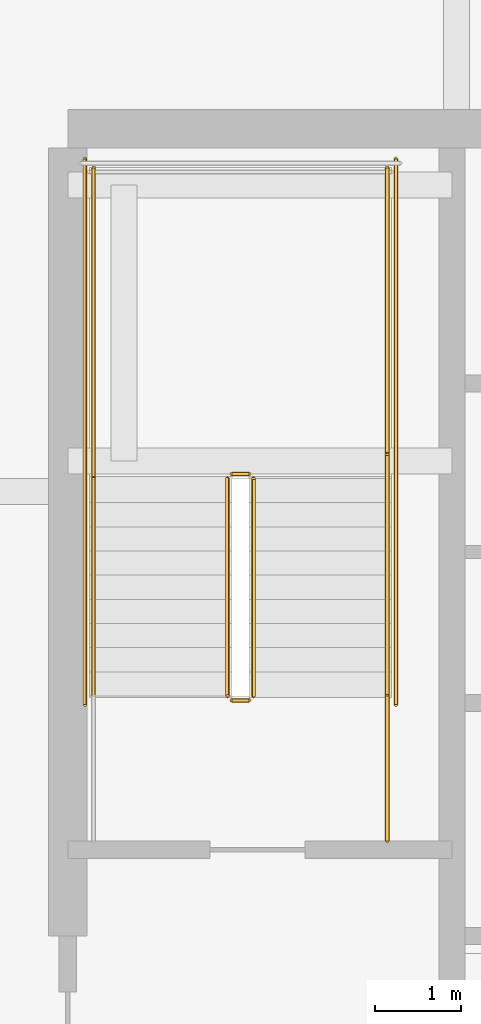
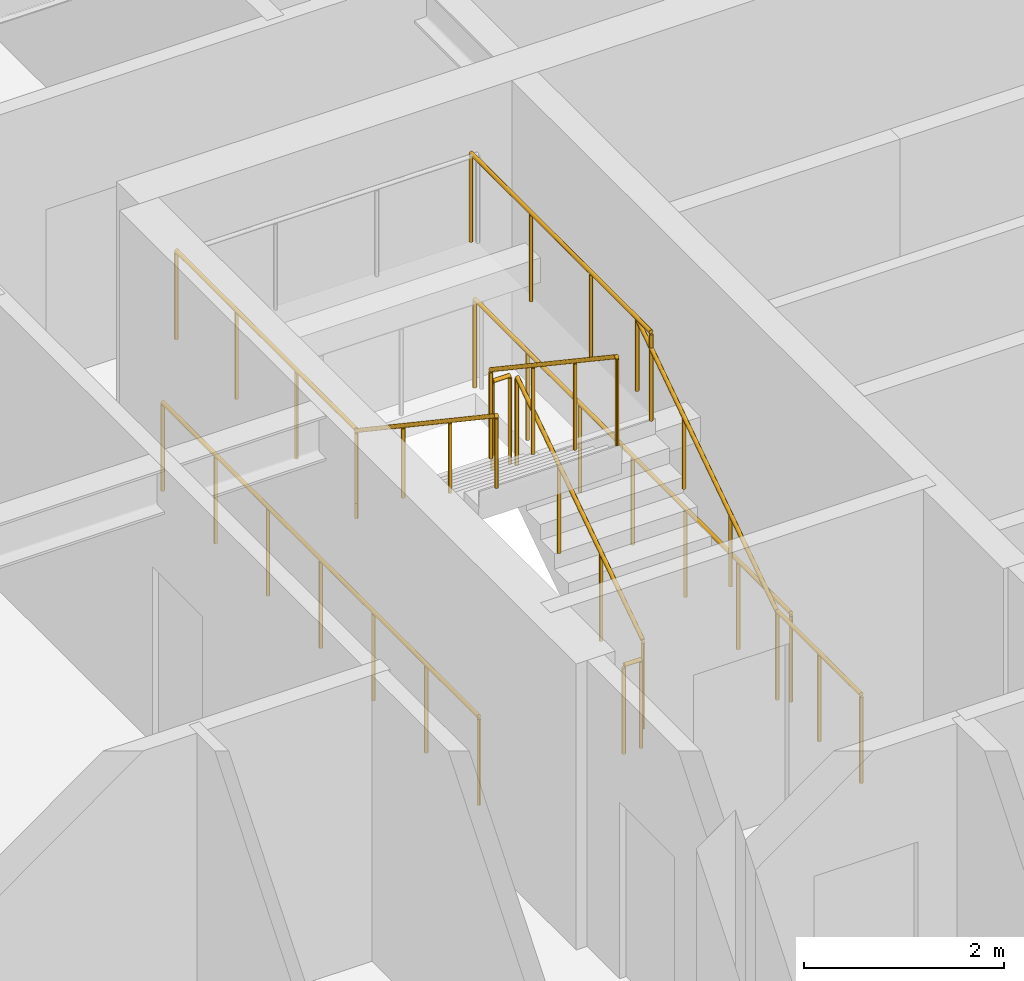
# One storey, part 35 of 38: 11 railings.
"""IFC4 building model written with IfcOpenShell, lengths in metres."""

from ifc_helpers import new_model, si_unit, direction, frame, origin, origin_2d, place, context, subcontext, project, spatial, circle, extrude, material, type_object, element, save


model = new_model("IFC4")

# Units and contexts
model_context = context("Model", 3, precision=1e-05, world=origin(), true_north=direction((0.0, 1.0)))
body_context = subcontext(model_context, "Body", "Model", "MODEL_VIEW")
ifc_project = project(units=[si_unit("LENGTHUNIT", "METRE"), si_unit("AREAUNIT", "SQUARE_METRE"), si_unit("VOLUMEUNIT", "CUBIC_METRE"), si_unit("PLANEANGLEUNIT", "RADIAN"), si_unit("MASSUNIT", "GRAM", prefix="KILO")], contexts=[model_context])

# Site, building, storey
site_placement = place(None, origin())
site = spatial("IfcSite", under=ifc_project, at=site_placement, CompositionType="ELEMENT")
building_placement = place(site_placement, origin())
building = spatial("IfcBuilding", under=site, at=building_placement, Name="Serunith Strait Residences", CompositionType="ELEMENT")
storey_placement = place(building_placement, frame((0.0, 0.0, 37.949951171875)))
storey = spatial("IfcBuildingStorey", under=building, at=storey_placement, Name="L08", CompositionType="ELEMENT", Elevation=37.949951171875)

# Railings
ifc_material = material(Name="Brushed stainless steel 316L", Category="steel")
railing_type_1 = type_object("IfcRailingType", Name="RLG-STAIR-GUARD", PredefinedType="BALUSTRADE", material=ifc_material)
railing_1_placement = place(storey_placement, frame((25.550048828125, 27.030029296875, 0.1875)))
element("IfcRailing", 1, at=railing_1_placement, inside=storey, type_object=railing_type_1, Name="L08 ST-1 stair guard 1", PredefinedType="BALUSTRADE", context=body_context, shape_type="SweptSolid", body=[
    extrude(circle(Radius=0.02392578125, at=origin_2d()), frame((0.0, 0.001708984375, 1.0771484375), z_axis=(0.0, 0.830909170722, 0.55640807867), x_axis=(-1.0, 0.0, 0.0)), (0.0, 0.0, 1.0), 3.02880859375),
    extrude(circle(Radius=0.02099609375, at=origin_2d()), origin(), (0.0, 0.0, 1.0), 1.050048828125),
    extrude(circle(Radius=0.02099609375, at=origin_2d()), frame((0.0, 0.840087890625, 0.5625)), (0.0, 0.0, 1.0), 1.050048828125),
    extrude(circle(Radius=0.02099609375, at=origin_2d()), frame((0.0, 1.679931640625, 1.125)), (0.0, 0.0, 1.0), 1.050048828125),
    extrude(circle(Radius=0.02099609375, at=origin_2d()), frame((0.0, 2.52001953125, 1.6875)), (0.0, 0.0, 1.0), 1.050048828125),
])
railing_2_placement = place(storey_placement, frame((25.5, 29.60009765625, 1.875)))
element("IfcRailing", 2, at=railing_2_placement, inside=storey, type_object=railing_type_1, Name="L08 ST-1 stair guard 2", PredefinedType="BALUSTRADE", context=body_context, shape_type="SweptSolid", body=[
    extrude(circle(Radius=0.02392578125, at=origin_2d()), frame((-0.001953125, 0.0, 1.076171875), z_axis=(-1.0, 0.0, 0.0), x_axis=(0.0, -1.0, 0.0)), (0.0, 0.0, 1.0), 0.196044921875),
    extrude(circle(Radius=0.02099609375, at=origin_2d()), origin(), (0.0, 0.0, 1.0), 1.050048828125),
    extrude(circle(Radius=0.02099609375, at=origin_2d()), frame((-0.199951171875, 0.0, 0.0)), (0.0, 0.0, 1.0), 1.050048828125),
])
for number, where, name in (
    (3, (27.10009765625, 29.550048828125, 1.875), "L08 ST-1 stair guard 3"),
    (4, (23.699951171875, 29.550048828125, 1.875), "L08 ST-1 stair guard 4"),
):
    element("IfcRailing", number, at=place(storey_placement, frame(where)), inside=storey, type_object=railing_type_1, Name=name, PredefinedType="BALUSTRADE", context=body_context, shape_type="SweptSolid", body=[
        extrude(circle(Radius=0.02392578125, at=origin_2d()), frame((0.0, 0.001953125, 1.076171875), z_axis=(0.0, 1.0, 0.0), x_axis=(-1.0, 0.0, 0.0)), (0.0, 0.0, 1.0), 3.595947265625),
        extrude(circle(Radius=0.02099609375, at=origin_2d()), origin(), (0.0, 0.0, 1.0), 1.050048828125),
        extrude(circle(Radius=0.02099609375, at=origin_2d()), frame((0.0, 1.199951171875, 0.0)), (0.0, 0.0, 1.0), 1.050048828125),
        extrude(circle(Radius=0.02099609375, at=origin_2d()), frame((0.0, 2.39990234375, 0.0)), (0.0, 0.0, 1.0), 1.050048828125),
        extrude(circle(Radius=0.02099609375, at=origin_2d()), frame((0.0, 3.599853515625, 0.0)), (0.0, 0.0, 1.0), 1.050048828125),
    ])
railing_3_placement = place(storey_placement, frame((25.25, 29.550048828125, 2.0625)))
element("IfcRailing", 5, at=railing_3_placement, inside=storey, type_object=railing_type_1, Name="L08 ST-1 stair guard 6", PredefinedType="BALUSTRADE", context=body_context, shape_type="SweptSolid", body=[
    extrude(circle(Radius=0.02392578125, at=origin_2d()), frame((0.0, -0.001708984375, 1.0771484375), z_axis=(0.0, -0.830909170722, 0.55640807867), x_axis=(1.0, 0.0, 0.0)), (0.0, 0.0, 1.0), 3.02880859375),
    extrude(circle(Radius=0.02099609375, at=origin_2d()), origin(), (0.0, 0.0, 1.0), 1.050048828125),
    extrude(circle(Radius=0.02099609375, at=origin_2d()), frame((0.0, -0.840087890625, 0.5625)), (0.0, 0.0, 1.0), 1.050048828125),
    extrude(circle(Radius=0.02099609375, at=origin_2d()), frame((0.0, -1.679931640625, 1.125)), (0.0, 0.0, 1.0), 1.050048828125),
    extrude(circle(Radius=0.02099609375, at=origin_2d()), frame((0.0, -2.52001953125, 1.6875)), (0.0, 0.0, 1.0), 1.050048828125),
])
railing_4_placement = place(storey_placement, frame((25.5, 26.97998046875, 0.0)))
element("IfcRailing", 6, at=railing_4_placement, inside=storey, type_object=railing_type_1, Name="L08 ST-1 stair guard 7", PredefinedType="BALUSTRADE", context=body_context, shape_type="SweptSolid", body=[
    extrude(circle(Radius=0.02392578125, at=origin_2d()), frame((-0.001953125, 0.0, 1.076171875), z_axis=(-1.0, 0.0, 0.0), x_axis=(0.0, -1.0, 0.0)), (0.0, 0.0, 1.0), 0.196044921875),
    extrude(circle(Radius=0.02099609375, at=origin_2d()), origin(), (0.0, 0.0, 1.0), 1.050048828125),
    extrude(circle(Radius=0.02099609375, at=origin_2d()), frame((-0.199951171875, 0.0, 0.0)), (0.0, 0.0, 1.0), 1.050048828125),
])
railing_5_placement = place(storey_placement, frame((27.10009765625, 25.35009765625, 0.0)))
element("IfcRailing", 7, at=railing_5_placement, inside=storey, type_object=railing_type_1, Name="L08 ST-1 stair guard 8", PredefinedType="BALUSTRADE", context=body_context, shape_type="SweptSolid", body=[
    extrude(circle(Radius=0.02392578125, at=origin_2d()), frame((0.0, 0.001953125, 1.076171875), z_axis=(0.0, 1.0, 0.0), x_axis=(-1.0, 0.0, 0.0)), (0.0, 0.0, 1.0), 1.676025390625),
    extrude(circle(Radius=0.02099609375, at=origin_2d()), origin(), (0.0, 0.0, 1.0), 1.050048828125),
    extrude(circle(Radius=0.02099609375, at=origin_2d()), frame((0.0, 0.83984375, 0.0)), (0.0, 0.0, 1.0), 1.050048828125),
    extrude(circle(Radius=0.02099609375, at=origin_2d()), frame((0.0, 1.679931640625, 0.0)), (0.0, 0.0, 1.0), 1.050048828125),
])
for number, where, name in (
    (8, (27.199951171875, 26.929931640625, 0.0), "L08 ST-1 stair guard 10"),
    (9, (23.60009765625, 26.929931640625, 0.0), "L08 ST-1 stair guard 11"),
):
    element("IfcRailing", number, at=place(storey_placement, frame(where)), inside=storey, type_object=railing_type_1, Name=name, PredefinedType="BALUSTRADE", context=body_context, shape_type="SweptSolid", body=[
        extrude(circle(Radius=0.02392578125, at=origin_2d()), frame((0.0, 0.001953125, 1.076171875), z_axis=(0.0, 1.0, 0.0), x_axis=(-1.0, 0.0, 0.0)), (0.0, 0.0, 1.0), 6.316162109375),
        extrude(circle(Radius=0.02099609375, at=origin_2d()), origin(), (0.0, 0.0, 1.0), 1.050048828125),
        extrude(circle(Radius=0.02099609375, at=origin_2d()), frame((0.0, 1.05322265625, 0.0)), (0.0, 0.0, 1.0), 1.050048828125),
        extrude(circle(Radius=0.02099609375, at=origin_2d()), frame((0.0, 2.106689453125, 0.0)), (0.0, 0.0, 1.0), 1.050048828125),
        extrude(circle(Radius=0.02099609375, at=origin_2d()), frame((0.0, 3.16015625, 0.0)), (0.0, 0.0, 1.0), 1.050048828125),
        extrude(circle(Radius=0.02099609375, at=origin_2d()), frame((0.0, 4.21337890625, 0.0)), (0.0, 0.0, 1.0), 1.050048828125),
        extrude(circle(Radius=0.02099609375, at=origin_2d()), frame((0.0, 5.2666015625, 0.0)), (0.0, 0.0, 1.0), 1.050048828125),
        extrude(circle(Radius=0.02099609375, at=origin_2d()), frame((0.0, 6.320068359375, 0.0)), (0.0, 0.0, 1.0), 1.050048828125),
    ])
railing_type_2 = type_object("IfcRailingType", Name="RLG-STAIR-HR", PredefinedType="HANDRAIL", material=ifc_material)
railing_6_placement = place(storey_placement, frame((27.10009765625, 27.030029296875, 0.1875)))
element("IfcRailing", 10, at=railing_6_placement, inside=storey, type_object=railing_type_2, Name="L08 ST-1 stair handrail 1", PredefinedType="HANDRAIL", context=body_context, shape_type="SweptSolid", body=[
    extrude(circle(Radius=0.02392578125, at=origin_2d()), frame((0.0, 0.001708984375, 0.876953125), z_axis=(0.0, 0.830208209119, 0.557453432594), x_axis=(-1.0, 0.0, 0.0)), (0.0, 0.0, 1.0), 3.36865234375),
    extrude(circle(Radius=0.02099609375, at=origin_2d()), origin(), (0.0, 0.0, 1.0), 0.849853515625),
    extrude(circle(Radius=0.02099609375, at=origin_2d()), frame((0.0, 0.933349609375, 0.626708984375)), (0.0, 0.0, 1.0), 0.849853515625),
    extrude(circle(Radius=0.02099609375, at=origin_2d()), frame((0.0, 1.86669921875, 1.25341796875)), (0.0, 0.0, 1.0), 0.849853515625),
    extrude(circle(Radius=0.02099609375, at=origin_2d()), frame((0.0, 2.800048828125, 1.880126953125)), (0.0, 0.0, 1.0), 0.849853515625),
])
railing_7_placement = place(storey_placement, frame((23.699951171875, 29.550048828125, 2.0625)))
element("IfcRailing", 11, at=railing_7_placement, inside=storey, type_object=railing_type_2, Name="L08 ST-1 stair handrail 2", PredefinedType="HANDRAIL", context=body_context, shape_type="SweptSolid", body=[
    extrude(circle(Radius=0.02392578125, at=origin_2d()), frame((0.0, -0.001708984375, 0.876953125), z_axis=(0.0, -0.830208209119, 0.557453432594), x_axis=(1.0, 0.0, 0.0)), (0.0, 0.0, 1.0), 3.36865234375),
    extrude(circle(Radius=0.02099609375, at=origin_2d()), origin(), (0.0, 0.0, 1.0), 0.849853515625),
    extrude(circle(Radius=0.02099609375, at=origin_2d()), frame((0.0, -0.933349609375, 0.626708984375)), (0.0, 0.0, 1.0), 0.849853515625),
    extrude(circle(Radius=0.02099609375, at=origin_2d()), frame((0.0, -1.86669921875, 1.25341796875)), (0.0, 0.0, 1.0), 0.849853515625),
    extrude(circle(Radius=0.02099609375, at=origin_2d()), frame((0.0, -2.800048828125, 1.880126953125)), (0.0, 0.0, 1.0), 0.849853515625),
])

save(model, "model.ifc")
